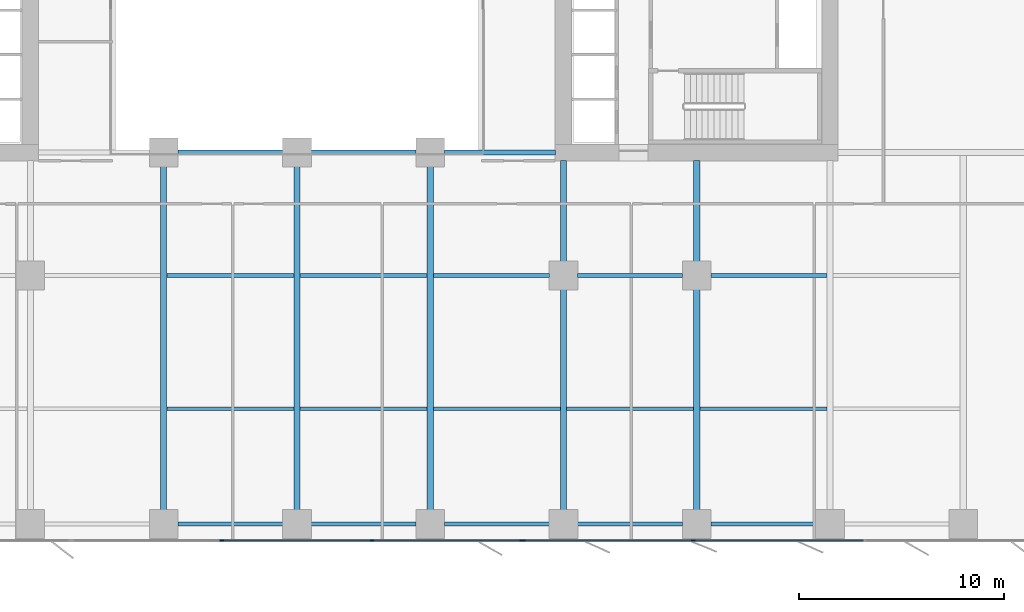
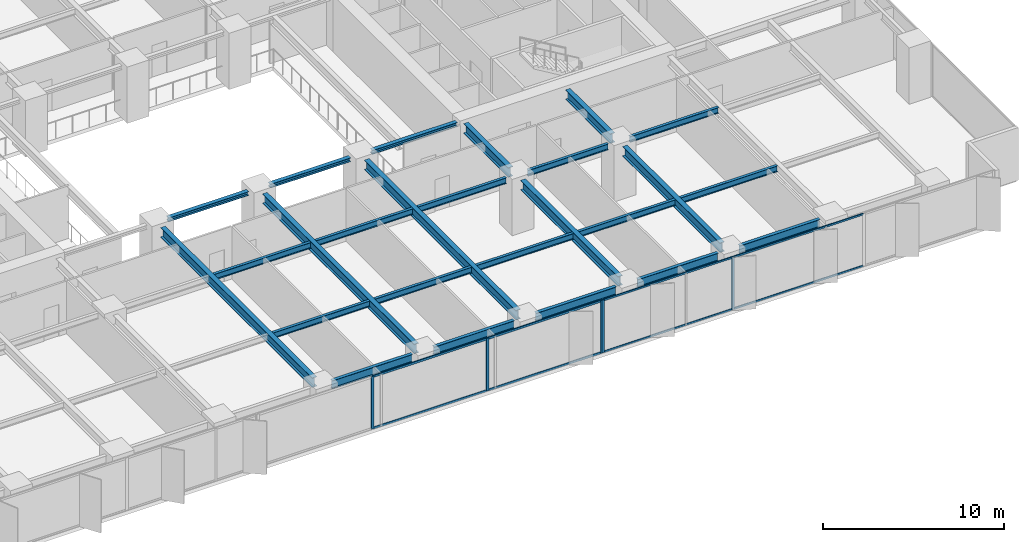
# One storey, part 5 of 20: 25 beams, 13 members, 2 elements without a shape of their own.
"""IFC4 building model written with IfcOpenShell, lengths in metres."""

from ifc_helpers import new_model, si_unit, direction, frame, origin, origin_2d, place, context, subcontext, project, spatial, rectangle, i_section, extrude, material, layer, layer_set, material_profile, profile_set, type_object, element, aggregate, save


model = new_model("IFC4")

# Units and contexts
model_context = context("Model", 3, precision=1e-05, world=origin(), true_north=direction((0.0, 1.0)))
body_context = subcontext(model_context, "Body", "Model", "MODEL_VIEW")
ifc_project = project(units=[si_unit("LENGTHUNIT", "METRE"), si_unit("AREAUNIT", "SQUARE_METRE"), si_unit("VOLUMEUNIT", "CUBIC_METRE"), si_unit("PLANEANGLEUNIT", "RADIAN"), si_unit("MASSUNIT", "GRAM", prefix="KILO")], contexts=[model_context])

# Site, building, storey
site_placement = place(None, origin())
site = spatial("IfcSite", under=ifc_project, at=site_placement, CompositionType="ELEMENT")
building_placement = place(site_placement, origin())
building = spatial("IfcBuilding", under=site, at=building_placement, Name="Putna Gate Headquarters", CompositionType="ELEMENT")
storey_placement = place(building_placement, frame((0.0, 0.0, 73.39990234375)))
storey = spatial("IfcBuildingStorey", under=building, at=storey_placement, Name="L17", CompositionType="ELEMENT", Elevation=73.39990234375)

# Beams
ifc_material_1 = material(Name="Steel S355J2", Category="steel")
ifc_material_profile_1 = material_profile(ifc_material_1, i_section(OverallWidth=0.260009765625, OverallDepth=0.260009765625, WebThickness=0.010009765625, FlangeThickness=0.017578125, at=origin_2d()), Name="Steel S355J2")
ifc_profile_set_1 = profile_set([ifc_material_profile_1], Name="Steel S355J2")
beam_type_1 = type_object("IfcBeamType", Name="BM-ATRIUM-HEB260", PredefinedType="BEAM", material=ifc_profile_set_1)
for number, where, z_axis, x_axis, name in (
    (1, (33.18798828125, 19.0, 3.420166015625), (1.0, 0.0, 0.0), (0.0, 1.0, 0.0), "L17 Atrium Edge Beam AS2"),
    (2, (39.68798828125, 19.0, 3.420166015625), (1.0, 0.0, 0.0), (0.0, 1.0, 0.0), "L17 Atrium Edge Beam AS3"),
):
    element("IfcBeam", number, at=place(storey_placement, frame(where, z_axis=z_axis, x_axis=x_axis)), inside=storey, type_object=beam_type_1, Name=name, PredefinedType="BEAM", context=body_context, shape_type="SweptSolid", body=[
        extrude(i_section(OverallWidth=0.260009765625, OverallDepth=0.260009765625, WebThickness=0.010009765625, FlangeThickness=0.017578125, at=origin_2d()), origin(), (0.0, 0.0, 1.0), 5.1240234375),
    ])
beam_1_placement = place(storey_placement, frame((46.18798828125, 19.0, 3.420166015625), z_axis=(1.0, 0.0, 0.0), x_axis=(0.0, 1.0, 0.0)))
element("IfcBeam", 3, at=beam_1_placement, inside=storey, type_object=beam_type_1, Name="L17 Atrium Edge Beam AS4", PredefinedType="BEAM", context=body_context, shape_type="SweptSolid", body=[
    extrude(i_section(OverallWidth=0.260009765625, OverallDepth=0.260009765625, WebThickness=0.010009765625, FlangeThickness=0.017578125, at=origin_2d()), origin(), (0.0, 0.0, 1.0), 5.427001953125),
])
ifc_material_profile_2 = material_profile(ifc_material_1, i_section(OverallWidth=0.300048828125, OverallDepth=0.64990234375, WebThickness=0.01611328125, FlangeThickness=0.031005859375, at=origin_2d()), Name="Steel S355J2")
ifc_profile_set_2 = profile_set([ifc_material_profile_2], Name="Steel S355J2")
beam_type_2 = type_object("IfcBeamType", Name="BM-GIRD-Z1-HEB650", PredefinedType="USERDEFINED", material=ifc_profile_set_2)
for number, where, z_axis, x_axis, name in (
    (4, (32.5, 1.568115234375, 3.22509765625), (0.0, 1.0, 0.0), (-1.0, 0.0, 0.0), "L17 South Primary Girder X32"),
    (5, (39.0, 1.568115234375, 3.22509765625), (0.0, 1.0, 0.0), (-1.0, 0.0, 0.0), "L17 South Primary Girder X39"),
    (6, (45.5, 1.568115234375, 3.22509765625), (0.0, 1.0, 0.0), (-1.0, 0.0, 0.0), "L17 South Primary Girder X45"),
):
    element("IfcBeam", number, at=place(storey_placement, frame(where, z_axis=z_axis, x_axis=x_axis)), inside=storey, type_object=beam_type_2, Name=name, ObjectType="GIRDER", PredefinedType="USERDEFINED", context=body_context, shape_type="SweptSolid", body=[
        extrude(i_section(OverallWidth=0.300048828125, OverallDepth=0.64990234375, WebThickness=0.01611328125, FlangeThickness=0.031005859375, at=origin_2d()), origin(), (0.0, 0.0, 1.0), 16.743896484375),
    ])
beam_2_placement = place(storey_placement, frame((52.0, 1.568115234375, 3.22509765625), z_axis=(0.0, 1.0, 0.0), x_axis=(-1.0, 0.0, 0.0)))
element("IfcBeam", 7, at=beam_2_placement, inside=storey, type_object=beam_type_2, Name="L17 South Primary Girder X52-1", ObjectType="GIRDER", PredefinedType="USERDEFINED", context=body_context, shape_type="SweptSolid", body=[
    extrude(i_section(OverallWidth=0.300048828125, OverallDepth=0.64990234375, WebThickness=0.01611328125, FlangeThickness=0.031005859375, at=origin_2d()), origin(), (0.0, 0.0, 1.0), 10.743896484375),
])
beam_3_placement = place(storey_placement, frame((52.0, 13.68798828125, 3.22509765625), z_axis=(0.0, 1.0, 0.0), x_axis=(-1.0, 0.0, 0.0)))
element("IfcBeam", 8, at=beam_3_placement, inside=storey, type_object=beam_type_2, Name="L17 South Primary Girder X52-2", ObjectType="GIRDER", PredefinedType="USERDEFINED", context=body_context, shape_type="SweptSolid", body=[
    extrude(i_section(OverallWidth=0.300048828125, OverallDepth=0.64990234375, WebThickness=0.01611328125, FlangeThickness=0.031005859375, at=origin_2d()), origin(), (0.0, 0.0, 1.0), 4.927001953125),
])
beam_4_placement = place(storey_placement, frame((58.5, 1.568115234375, 3.22509765625), z_axis=(0.0, 1.0, 0.0), x_axis=(-1.0, 0.0, 0.0)))
element("IfcBeam", 9, at=beam_4_placement, inside=storey, type_object=beam_type_2, Name="L17 South Primary Girder X58-1", ObjectType="GIRDER", PredefinedType="USERDEFINED", context=body_context, shape_type="SweptSolid", body=[
    extrude(i_section(OverallWidth=0.300048828125, OverallDepth=0.64990234375, WebThickness=0.01611328125, FlangeThickness=0.031005859375, at=origin_2d()), origin(), (0.0, 0.0, 1.0), 10.743896484375),
])
beam_5_placement = place(storey_placement, frame((58.5, 13.68798828125, 3.22509765625), z_axis=(0.0, 1.0, 0.0), x_axis=(-1.0, 0.0, 0.0)))
element("IfcBeam", 10, at=beam_5_placement, inside=storey, type_object=beam_type_2, Name="L17 South Primary Girder X58-2", ObjectType="GIRDER", PredefinedType="USERDEFINED", context=body_context, shape_type="SweptSolid", body=[
    extrude(i_section(OverallWidth=0.300048828125, OverallDepth=0.64990234375, WebThickness=0.01611328125, FlangeThickness=0.031005859375, at=origin_2d()), origin(), (0.0, 0.0, 1.0), 4.927001953125),
])
ifc_material_profile_3 = material_profile(ifc_material_1, i_section(OverallWidth=0.179931640625, OverallDepth=0.39990234375, WebThickness=0.008544921875, FlangeThickness=0.013427734375, at=origin_2d()), Name="Steel S355J2")
ifc_profile_set_3 = profile_set([ifc_material_profile_3], Name="Steel S355J2")
beam_type_3 = type_object("IfcBeamType", Name="BM-SEC-Z1-IPE400", PredefinedType="BEAM", material=ifc_profile_set_3)
for number, where, z_axis, x_axis, name in (
    (11, (32.654052734375, 6.5, 3.35009765625), (1.0, 0.0, 0.0), (0.0, 1.0, 0.0), "L17 South Secondary Beam 5"),
    (12, (32.654052734375, 13.0, 3.35009765625), (1.0, 0.0, 0.0), (0.0, 1.0, 0.0), "L17 South Secondary Beam 5"),
    (13, (39.154052734375, 6.5, 3.35009765625), (1.0, 0.0, 0.0), (0.0, 1.0, 0.0), "L17 South Secondary Beam 6"),
    (14, (39.154052734375, 13.0, 3.35009765625), (1.0, 0.0, 0.0), (0.0, 1.0, 0.0), "L17 South Secondary Beam 6"),
    (15, (45.654052734375, 6.5, 3.35009765625), (1.0, 0.0, 0.0), (0.0, 1.0, 0.0), "L17 South Secondary Beam 7"),
):
    element("IfcBeam", number, at=place(storey_placement, frame(where, z_axis=z_axis, x_axis=x_axis)), inside=storey, type_object=beam_type_3, Name=name, PredefinedType="BEAM", context=body_context, shape_type="SweptSolid", body=[
        extrude(i_section(OverallWidth=0.179931640625, OverallDepth=0.39990234375, WebThickness=0.008544921875, FlangeThickness=0.013427734375, at=origin_2d()), origin(), (0.0, 0.0, 1.0), 6.19189453125),
    ])
beam_6_placement = place(storey_placement, frame((45.654052734375, 13.0, 3.35009765625), z_axis=(1.0, 0.0, 0.0), x_axis=(0.0, 1.0, 0.0)))
element("IfcBeam", 16, at=beam_6_placement, inside=storey, type_object=beam_type_3, Name="L17 South Secondary Beam 7", PredefinedType="BEAM", context=body_context, shape_type="SweptSolid", body=[
    extrude(i_section(OverallWidth=0.179931640625, OverallDepth=0.39990234375, WebThickness=0.008544921875, FlangeThickness=0.013427734375, at=origin_2d()), origin(), (0.0, 0.0, 1.0), 5.657958984375),
])
beam_7_placement = place(storey_placement, frame((52.154052734375, 6.5, 3.35009765625), z_axis=(1.0, 0.0, 0.0), x_axis=(0.0, 1.0, 0.0)))
element("IfcBeam", 17, at=beam_7_placement, inside=storey, type_object=beam_type_3, Name="L17 South Secondary Beam 8", PredefinedType="BEAM", context=body_context, shape_type="SweptSolid", body=[
    extrude(i_section(OverallWidth=0.179931640625, OverallDepth=0.39990234375, WebThickness=0.008544921875, FlangeThickness=0.013427734375, at=origin_2d()), origin(), (0.0, 0.0, 1.0), 6.19189453125),
])
beam_8_placement = place(storey_placement, frame((52.68798828125, 13.0, 3.35009765625), z_axis=(1.0, 0.0, 0.0), x_axis=(0.0, 1.0, 0.0)))
element("IfcBeam", 18, at=beam_8_placement, inside=storey, type_object=beam_type_3, Name="L17 South Secondary Beam 8", PredefinedType="BEAM", context=body_context, shape_type="SweptSolid", body=[
    extrude(i_section(OverallWidth=0.179931640625, OverallDepth=0.39990234375, WebThickness=0.008544921875, FlangeThickness=0.013427734375, at=origin_2d()), origin(), (0.0, 0.0, 1.0), 5.1240234375),
])
beam_9_placement = place(storey_placement, frame((58.654052734375, 6.5, 3.35009765625), z_axis=(1.0, 0.0, 0.0), x_axis=(0.0, 1.0, 0.0)))
element("IfcBeam", 19, at=beam_9_placement, inside=storey, type_object=beam_type_3, Name="L17 South Secondary Beam 9", PredefinedType="BEAM", context=body_context, shape_type="SweptSolid", body=[
    extrude(i_section(OverallWidth=0.179931640625, OverallDepth=0.39990234375, WebThickness=0.008544921875, FlangeThickness=0.013427734375, at=origin_2d()), origin(), (0.0, 0.0, 1.0), 6.19189453125),
])
beam_10_placement = place(storey_placement, frame((59.18798828125, 13.0, 3.35009765625), z_axis=(1.0, 0.0, 0.0), x_axis=(0.0, 1.0, 0.0)))
element("IfcBeam", 20, at=beam_10_placement, inside=storey, type_object=beam_type_3, Name="L17 South Secondary Beam 9", PredefinedType="BEAM", context=body_context, shape_type="SweptSolid", body=[
    extrude(i_section(OverallWidth=0.179931640625, OverallDepth=0.39990234375, WebThickness=0.008544921875, FlangeThickness=0.013427734375, at=origin_2d()), origin(), (0.0, 0.0, 1.0), 5.657958984375),
])
ifc_material_profile_4 = material_profile(ifc_material_1, i_section(OverallWidth=0.2099609375, OverallDepth=0.550048828125, WebThickness=0.010986328125, FlangeThickness=0.01708984375, at=origin_2d()), Name="Steel S355J2")
ifc_profile_set_4 = profile_set([ifc_material_profile_4], Name="Steel S355J2")
beam_type_4 = type_object("IfcBeamType", Name="BM-SPAN-Z1-IPE550", PredefinedType="SPANDREL", material=ifc_profile_set_4)
for number, where, z_axis, x_axis, name in (
    (21, (33.18798828125, 0.8798828125, 3.275146484375), (1.0, 0.0, 0.0), (0.0, 1.0, 0.0), "L17 S Perimeter Spandrel 5"),
    (22, (39.68798828125, 0.8798828125, 3.275146484375), (1.0, 0.0, 0.0), (0.0, 1.0, 0.0), "L17 S Perimeter Spandrel 6"),
    (23, (46.18798828125, 0.8798828125, 3.275146484375), (1.0, 0.0, 0.0), (0.0, 1.0, 0.0), "L17 S Perimeter Spandrel 7"),
    (24, (52.68798828125, 0.8798828125, 3.275146484375), (1.0, 0.0, 0.0), (0.0, 1.0, 0.0), "L17 S Perimeter Spandrel 8"),
    (25, (59.18798828125, 0.8798828125, 3.275146484375), (1.0, 0.0, 0.0), (0.0, 1.0, 0.0), "L17 S Perimeter Spandrel 9"),
):
    element("IfcBeam", number, at=place(storey_placement, frame(where, z_axis=z_axis, x_axis=x_axis)), inside=storey, type_object=beam_type_4, Name=name, PredefinedType="SPANDREL", context=body_context, shape_type="SweptSolid", body=[
        extrude(i_section(OverallWidth=0.2099609375, OverallDepth=0.550048828125, WebThickness=0.010986328125, FlangeThickness=0.01708984375, at=origin_2d()), origin(), (0.0, 0.0, 1.0), 5.1240234375),
    ])

# Curtain wall, members
ifc_material_2 = material(Name="Anodised bronze aluminium curtain wall", Category="aluminium")
ifc_layer_1 = layer(ifc_material_2, 0.179931640625)
ifc_layer_set_1 = layer_set([ifc_layer_1], Name="Anodised bronze aluminium curtain wall")
curtain_wall_type_1 = type_object("IfcCurtainWallType", Name="CW-SYS-Z1", PredefinedType="USERDEFINED", material=ifc_layer_set_1)
curtain_wall_1_placement = place(storey_placement, origin())
curtain_wall_1 = element("IfcCurtainWall", 26, at=curtain_wall_1_placement, inside=storey, type_object=curtain_wall_type_1, Name="L17 South East Curtain Wall", ObjectType="STICK CURTAIN WALL", PredefinedType="USERDEFINED")
ifc_material_3 = material(Name="Anodised bronze aluminium EN AW-6060", Category="aluminium")
ifc_material_profile_5 = material_profile(ifc_material_3, rectangle(XDim=0.070068359375, YDim=0.179931640625, at=origin_2d()), Name="Anodised bronze aluminium EN AW-6060")
ifc_profile_set_5 = profile_set([ifc_material_profile_5], Name="Anodised bronze aluminium EN AW-6060")
member_type_1 = type_object("IfcMemberType", Name="MULL-CWM-1", PredefinedType="MULLION", material=ifc_profile_set_5)
member_1_placement = place(storey_placement, frame((50.034912109375, 0.080078125, 0.0), z_axis=(0.0, 0.0, 1.0), x_axis=(0.0, 1.0, 0.0)))
member_1 = element("IfcMember", 27, at=member_1_placement, type_object=member_type_1, Name="CWS-1 mullion 1", PredefinedType="MULLION", context=body_context, shape_type="SweptSolid", body=[
    extrude(rectangle(XDim=0.070068359375, YDim=0.179931640625, at=origin_2d()), origin(), (0.0, 0.0, 1.0), 3.550048828125),
])
member_2_placement = place(storey_placement, frame((58.333251953125, 0.080078125, 0.0), z_axis=(0.0, 0.0, 1.0), x_axis=(0.0, 1.0, 0.0)))
member_2 = element("IfcMember", 28, at=member_2_placement, type_object=member_type_1, Name="CWS-1 mullion 2", PredefinedType="MULLION", context=body_context, shape_type="SweptSolid", body=[
    extrude(rectangle(XDim=0.070068359375, YDim=0.179931640625, at=origin_2d()), origin(), (0.0, 0.0, 1.0), 3.550048828125),
])

ifc_layer_2 = layer(ifc_material_2, 0.179931640625)
ifc_layer_set_2 = layer_set([ifc_layer_2], Name="Anodised bronze aluminium curtain wall")
curtain_wall_type_2 = type_object("IfcCurtainWallType", Name="CW-SYS-ATR", PredefinedType="USERDEFINED", material=ifc_layer_set_2)
curtain_wall_2_placement = place(storey_placement, origin())
curtain_wall_2 = element("IfcCurtainWall", 29, at=curtain_wall_2_placement, inside=storey, type_object=curtain_wall_type_2, Name="L17 South Atrium Clear Glazing", ObjectType="ATRIUM GLAZING", PredefinedType="USERDEFINED")
ifc_material_profile_6 = material_profile(ifc_material_3, rectangle(XDim=0.070068359375, YDim=0.179931640625, at=origin_2d()), Name="Anodised bronze aluminium EN AW-6060")
ifc_profile_set_6 = profile_set([ifc_material_profile_6], Name="Anodised bronze aluminium EN AW-6060")
member_type_2 = type_object("IfcMemberType", Name="MULL-CWM-AT", PredefinedType="MULLION", material=ifc_profile_set_6)
member_3_placement = place(storey_placement, frame((35.333251953125, 0.080078125, 0.0), z_axis=(0.0, 0.0, 1.0), x_axis=(0.0, 1.0, 0.0)))
member_3 = element("IfcMember", 30, at=member_3_placement, type_object=member_type_2, Name="CWS-AT mullion 2", PredefinedType="MULLION", context=body_context, shape_type="SweptSolid", body=[
    extrude(rectangle(XDim=0.070068359375, YDim=0.179931640625, at=origin_2d()), origin(), (0.0, 0.0, 1.0), 3.550048828125),
])
member_4_placement = place(storey_placement, frame((42.666748046875, 0.080078125, 0.0), z_axis=(0.0, 0.0, 1.0), x_axis=(0.0, 1.0, 0.0)))
member_4 = element("IfcMember", 31, at=member_4_placement, type_object=member_type_2, Name="CWS-AT mullion 3", PredefinedType="MULLION", context=body_context, shape_type="SweptSolid", body=[
    extrude(rectangle(XDim=0.070068359375, YDim=0.179931640625, at=origin_2d()), origin(), (0.0, 0.0, 1.0), 3.550048828125),
])
member_5_placement = place(storey_placement, frame((49.965087890625, 0.080078125, 0.0), z_axis=(0.0, 0.0, 1.0), x_axis=(0.0, 1.0, 0.0)))
member_5 = element("IfcMember", 32, at=member_5_placement, type_object=member_type_2, Name="CWS-AT mullion 4", PredefinedType="MULLION", context=body_context, shape_type="SweptSolid", body=[
    extrude(rectangle(XDim=0.070068359375, YDim=0.179931640625, at=origin_2d()), origin(), (0.0, 0.0, 1.0), 3.550048828125),
])

# Member
ifc_material_profile_7 = material_profile(ifc_material_3, rectangle(XDim=0.06494140625, YDim=0.1201171875, at=origin_2d()), Name="Anodised bronze aluminium EN AW-6060")
ifc_profile_set_7 = profile_set([ifc_material_profile_7], Name="Anodised bronze aluminium EN AW-6060")
member_type_3 = type_object("IfcMemberType", Name="TRAN-CWT-1", PredefinedType="USERDEFINED", material=ifc_profile_set_7)
member_6_placement = place(storey_placement, frame((50.070068359375, 0.080078125, 0.03271484375), z_axis=(1.0, 0.0, 0.0), x_axis=(0.0, 1.0, 0.0)))
member_6 = element("IfcMember", 33, at=member_6_placement, type_object=member_type_3, Name="CWS-1 transom 1.1", ObjectType="TRANSOM", PredefinedType="USERDEFINED", context=body_context, shape_type="SweptSolid", body=[
    extrude(rectangle(XDim=0.06494140625, YDim=0.1201171875, at=origin_2d()), origin(), (0.0, 0.0, 1.0), 8.228271484375),
])

member_7_placement = place(storey_placement, frame((50.070068359375, 0.080078125, 3.517578125), z_axis=(1.0, 0.0, 0.0), x_axis=(0.0, 1.0, 0.0)))
member_7 = element("IfcMember", 34, at=member_7_placement, type_object=member_type_3, Name="CWS-1 transom 1.2", ObjectType="TRANSOM", PredefinedType="USERDEFINED", context=body_context, shape_type="SweptSolid", body=[
    extrude(rectangle(XDim=0.06494140625, YDim=0.1201171875, at=origin_2d()), origin(), (0.0, 0.0, 1.0), 8.228271484375),
])

member_8_placement = place(storey_placement, frame((58.368408203125, 0.080078125, 0.03271484375), z_axis=(1.0, 0.0, 0.0), x_axis=(0.0, 1.0, 0.0)))
member_8 = element("IfcMember", 35, at=member_8_placement, type_object=member_type_3, Name="CWS-1 transom 2.1", ObjectType="TRANSOM", PredefinedType="USERDEFINED", context=body_context, shape_type="SweptSolid", body=[
    extrude(rectangle(XDim=0.06494140625, YDim=0.1201171875, at=origin_2d()), origin(), (0.0, 0.0, 1.0), 8.26318359375),
])

member_9_placement = place(storey_placement, frame((58.368408203125, 0.080078125, 3.517578125), z_axis=(1.0, 0.0, 0.0), x_axis=(0.0, 1.0, 0.0)))
member_9 = element("IfcMember", 36, at=member_9_placement, type_object=member_type_3, Name="CWS-1 transom 2.2", ObjectType="TRANSOM", PredefinedType="USERDEFINED", context=body_context, shape_type="SweptSolid", body=[
    extrude(rectangle(XDim=0.06494140625, YDim=0.1201171875, at=origin_2d()), origin(), (0.0, 0.0, 1.0), 8.26318359375),
])

aggregate(curtain_wall_1, [member_1, member_2, member_6, member_7, member_8, member_9])

ifc_material_profile_8 = material_profile(ifc_material_3, rectangle(XDim=0.070068359375, YDim=0.139892578125, at=origin_2d()), Name="Anodised bronze aluminium EN AW-6060")
ifc_profile_set_8 = profile_set([ifc_material_profile_8], Name="Anodised bronze aluminium EN AW-6060")
member_type_4 = type_object("IfcMemberType", Name="TRAN-CWT-AT", PredefinedType="USERDEFINED", material=ifc_profile_set_8)
member_10_placement = place(storey_placement, frame((35.368408203125, 0.080078125, 0.03515625), z_axis=(1.0, 0.0, 0.0), x_axis=(0.0, 1.0, 0.0)))
member_10 = element("IfcMember", 37, at=member_10_placement, type_object=member_type_4, Name="CWS-AT transom 2.1", ObjectType="TRANSOM", PredefinedType="USERDEFINED", context=body_context, shape_type="SweptSolid", body=[
    extrude(rectangle(XDim=0.070068359375, YDim=0.139892578125, at=origin_2d()), origin(), (0.0, 0.0, 1.0), 7.26318359375),
])

member_11_placement = place(storey_placement, frame((35.368408203125, 0.080078125, 3.51513671875), z_axis=(1.0, 0.0, 0.0), x_axis=(0.0, 1.0, 0.0)))
member_11 = element("IfcMember", 38, at=member_11_placement, type_object=member_type_4, Name="CWS-AT transom 2.2", ObjectType="TRANSOM", PredefinedType="USERDEFINED", context=body_context, shape_type="SweptSolid", body=[
    extrude(rectangle(XDim=0.070068359375, YDim=0.139892578125, at=origin_2d()), origin(), (0.0, 0.0, 1.0), 7.26318359375),
])

member_12_placement = place(storey_placement, frame((42.70166015625, 0.080078125, 0.03515625), z_axis=(1.0, 0.0, 0.0), x_axis=(0.0, 1.0, 0.0)))
member_12 = element("IfcMember", 39, at=member_12_placement, type_object=member_type_4, Name="CWS-AT transom 3.1", ObjectType="TRANSOM", PredefinedType="USERDEFINED", context=body_context, shape_type="SweptSolid", body=[
    extrude(rectangle(XDim=0.070068359375, YDim=0.139892578125, at=origin_2d()), origin(), (0.0, 0.0, 1.0), 7.228271484375),
])

member_13_placement = place(storey_placement, frame((42.70166015625, 0.080078125, 3.51513671875), z_axis=(1.0, 0.0, 0.0), x_axis=(0.0, 1.0, 0.0)))
member_13 = element("IfcMember", 40, at=member_13_placement, type_object=member_type_4, Name="CWS-AT transom 3.2", ObjectType="TRANSOM", PredefinedType="USERDEFINED", context=body_context, shape_type="SweptSolid", body=[
    extrude(rectangle(XDim=0.070068359375, YDim=0.139892578125, at=origin_2d()), origin(), (0.0, 0.0, 1.0), 7.228271484375),
])

aggregate(curtain_wall_2, [member_3, member_4, member_5, member_10, member_11, member_12, member_13])

save(model, "model.ifc")
